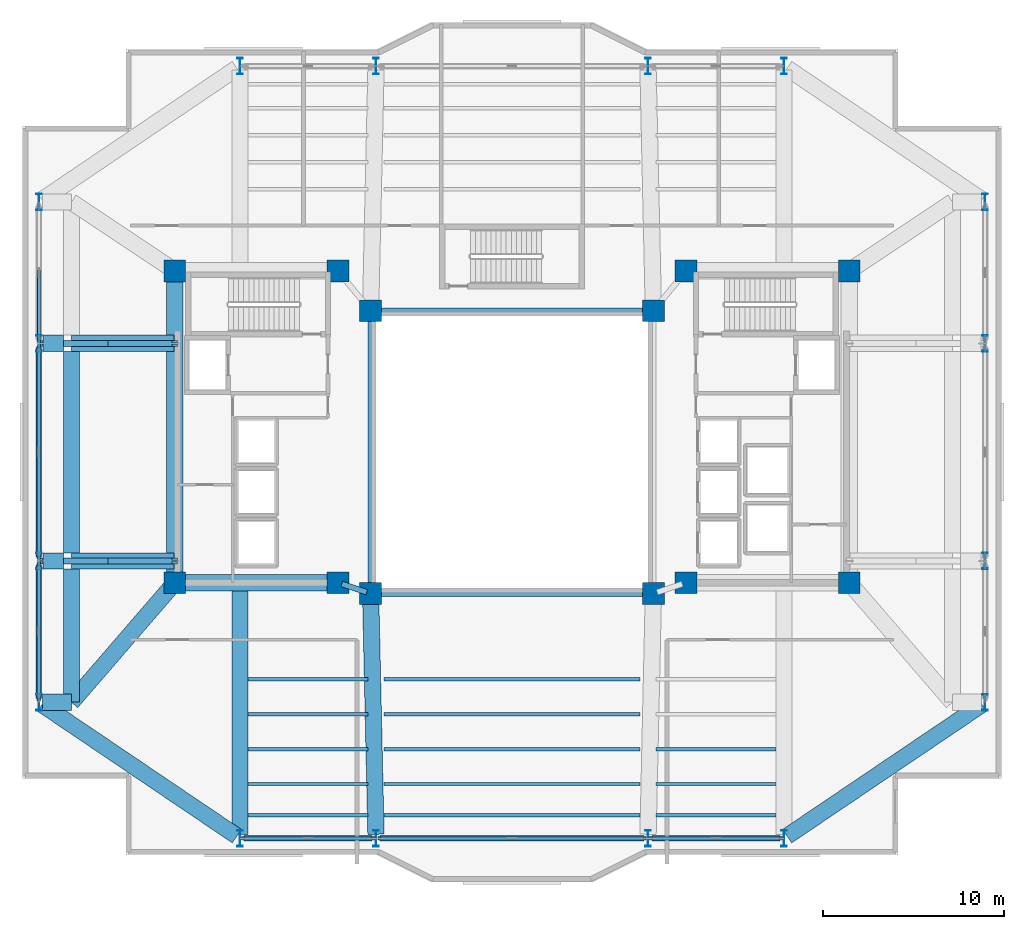
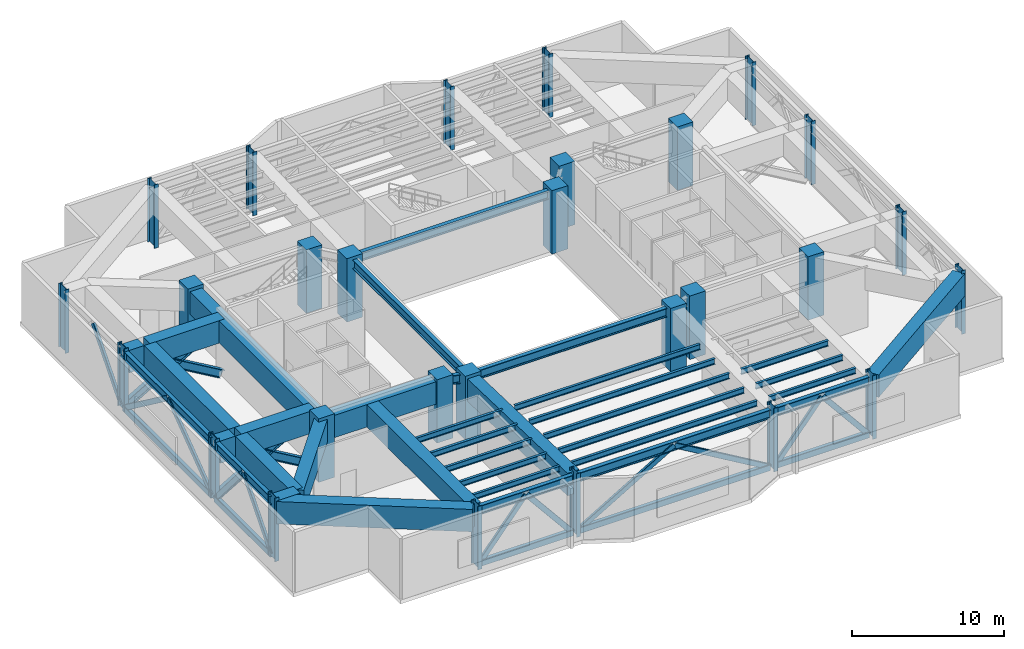
# One storey, part 1 of 13: 36 beams, 28 columns, 20 members.
"""IFC4 building model written with IfcOpenShell, lengths in metres."""

from ifc_helpers import new_model, si_unit, direction, frame, origin, origin_2d, place, context, subcontext, project, spatial, rectangle, hollow_rectangle, i_section, extrude, material, material_profile, profile_set, type_object, element, save


model = new_model("IFC4")

# Units and contexts
model_context = context("Model", 3, precision=1e-05, world=origin(), true_north=direction((0.0, 1.0)))
body_context = subcontext(model_context, "Body", "Model", "MODEL_VIEW")
ifc_project = project(units=[si_unit("LENGTHUNIT", "METRE"), si_unit("AREAUNIT", "SQUARE_METRE"), si_unit("VOLUMEUNIT", "CUBIC_METRE"), si_unit("PLANEANGLEUNIT", "RADIAN"), si_unit("MASSUNIT", "GRAM", prefix="KILO")], contexts=[model_context])

# Site, building, storey
site_placement = place(None, origin())
site = spatial("IfcSite", under=ifc_project, at=site_placement, CompositionType="ELEMENT")
building_placement = place(site_placement, origin())
building = spatial("IfcBuilding", under=site, at=building_placement, Name="Tarnavaz Court Tower", CompositionType="ELEMENT")
storey_placement = place(building_placement, frame((0.0, 0.0, 127.5)))
storey = spatial("IfcBuildingStorey", under=building, at=storey_placement, Name="L34", CompositionType="ELEMENT", Elevation=127.5)

# Columns
ifc_material_1 = material(Name="Concrete C60/75", Category="concrete")
ifc_material_profile_1 = material_profile(ifc_material_1, rectangle(XDim=1.199951171875, YDim=1.199951171875, at=origin_2d()), Name="RC 1200X1200")
ifc_profile_set_1 = profile_set([ifc_material_profile_1], Name="Concrete C60/75")
column_type_1 = type_object("IfcColumnType", Name="CL-RC1200", PredefinedType="COLUMN", material=ifc_profile_set_1)
for number, where, z_axis, x_axis, name in (
    (1, (-7.800048828125, -7.800048828125, 0.0), (0.0, 0.0, 1.0), (1.0, 0.0, 0.0), "L34 Column IW-SW"),
    (2, (7.800048828125, -7.800048828125, 0.0), (0.0, 0.0, 1.0), (1.0, 0.0, 0.0), "L34 Column IW-SE"),
    (3, (-7.800048828125, 7.800048828125, 0.0), (0.0, 0.0, 1.0), (1.0, 0.0, 0.0), "L34 Column IW-NW"),
    (4, (7.800048828125, 7.800048828125, 0.0), (0.0, 0.0, 1.0), (1.0, 0.0, 0.0), "L34 Column IW-NE"),
    (5, (-9.60009765625, -7.199951171875, 0.0), (0.0, 0.0, 1.0), (1.0, 0.0, 0.0), "L34 Column CW-SI"),
    (6, (-9.60009765625, 10.0, 0.0), (0.0, 0.0, 1.0), (1.0, 0.0, 0.0), "L34 Column CW-NI"),
    (7, (9.60009765625, -7.199951171875, 0.0), (0.0, 0.0, 1.0), (1.0, 0.0, 0.0), "L34 Column CE-SI"),
    (8, (9.60009765625, 10.0, 0.0), (0.0, 0.0, 1.0), (1.0, 0.0, 0.0), "L34 Column CE-NI"),
    (9, (-18.60009765625, -7.199951171875, 0.0), (0.0, 0.0, 1.0), (1.0, 0.0, 0.0), "L34 Column CW-SO"),
    (10, (-18.60009765625, 10.0, 0.0), (0.0, 0.0, 1.0), (1.0, 0.0, 0.0), "L34 Column CW-NO"),
    (11, (18.60009765625, -7.199951171875, 0.0), (0.0, 0.0, 1.0), (1.0, 0.0, 0.0), "L34 Column CE-SO"),
    (12, (18.60009765625, 10.0, 0.0), (0.0, 0.0, 1.0), (1.0, 0.0, 0.0), "L34 Column CE-NO"),
):
    element("IfcColumn", number, at=place(storey_placement, frame(where, z_axis=z_axis, x_axis=x_axis)), inside=storey, type_object=column_type_1, Name=name, PredefinedType="COLUMN", context=body_context, shape_type="SweptSolid", body=[
        extrude(rectangle(XDim=1.199951171875, YDim=1.199951171875, at=origin_2d()), origin(), (0.0, 0.0, 1.0), 5.10009765625),
    ])
ifc_material_2 = material(Name="Steel S460", Category="steel")
ifc_material_profile_2 = material_profile(ifc_material_2, i_section(OverallWidth=0.302001953125, OverallDepth=0.909912109375, WebThickness=0.02099609375, FlangeThickness=0.0400390625, FilletRadius=0.030029296875, at=origin_2d()), Name="HEM 900")
ifc_profile_set_2 = profile_set([ifc_material_profile_2], Name="Steel S460")
column_type_2 = type_object("IfcColumnType", Name="CL-S460-HEM900", PredefinedType="COLUMN", material=ifc_profile_set_2)
for number, where, z_axis, x_axis, name in (
    (13, (-15.0, 21.300048828125, 0.0), (0.0, 0.0, 1.0), (1.0, 0.0, 0.0), "L34 Column PN-1"),
    (14, (-7.5, 21.300048828125, 0.0), (0.0, 0.0, 1.0), (1.0, 0.0, 0.0), "L34 Column PN-2"),
    (15, (7.5, 21.300048828125, 0.0), (0.0, 0.0, 1.0), (1.0, 0.0, 0.0), "L34 Column PN-3"),
    (16, (15.0, 21.300048828125, 0.0), (0.0, 0.0, 1.0), (1.0, 0.0, 0.0), "L34 Column PN-4"),
    (17, (-15.0, -21.300048828125, 0.0), (0.0, 0.0, 1.0), (1.0, 0.0, 0.0), "L34 Column PS-1"),
    (18, (-7.5, -21.300048828125, 0.0), (0.0, 0.0, 1.0), (1.0, 0.0, 0.0), "L34 Column PS-2"),
    (19, (7.5, -21.300048828125, 0.0), (0.0, 0.0, 1.0), (1.0, 0.0, 0.0), "L34 Column PS-3"),
    (20, (15.0, -21.300048828125, 0.0), (0.0, 0.0, 1.0), (1.0, 0.0, 0.0), "L34 Column PS-4"),
    (21, (26.10009765625, -13.800048828125, 0.0), (0.0, 0.0, 1.0), (1.0, 0.0, 0.0), "L34 Column PE-1"),
    (22, (26.10009765625, -6.0, 0.0), (0.0, 0.0, 1.0), (1.0, 0.0, 0.0), "L34 Column PE-2"),
    (23, (26.10009765625, 6.0, 0.0), (0.0, 0.0, 1.0), (1.0, 0.0, 0.0), "L34 Column PE-3"),
    (24, (26.10009765625, 13.800048828125, 0.0), (0.0, 0.0, 1.0), (1.0, 0.0, 0.0), "L34 Column PE-4"),
    (25, (-26.10009765625, -13.800048828125, 0.0), (0.0, 0.0, 1.0), (1.0, 0.0, 0.0), "L34 Column PW-1"),
    (26, (-26.10009765625, -6.0, 0.0), (0.0, 0.0, 1.0), (1.0, 0.0, 0.0), "L34 Column PW-2"),
    (27, (-26.10009765625, 6.0, 0.0), (0.0, 0.0, 1.0), (1.0, 0.0, 0.0), "L34 Column PW-3"),
    (28, (-26.10009765625, 13.800048828125, 0.0), (0.0, 0.0, 1.0), (1.0, 0.0, 0.0), "L34 Column PW-4"),
):
    element("IfcColumn", number, at=place(storey_placement, frame(where, z_axis=z_axis, x_axis=x_axis)), inside=storey, type_object=column_type_2, Name=name, PredefinedType="COLUMN", context=body_context, shape_type="SweptSolid", body=[
        extrude(i_section(OverallWidth=0.302001953125, OverallDepth=0.909912109375, WebThickness=0.02099609375, FlangeThickness=0.0400390625, FilletRadius=0.030029296875, at=origin_2d()), origin(), (0.0, 0.0, 1.0), 5.10009765625),
    ])

# Beams
ifc_material_profile_3 = material_profile(ifc_material_2, i_section(OverallWidth=0.303955078125, OverallDepth=0.716064453125, WebThickness=0.02099609375, FlangeThickness=0.0400390625, FilletRadius=0.027099609375, at=origin_2d()), Name="HEM 700")
ifc_profile_set_3 = profile_set([ifc_material_profile_3], Name="Steel S460")
beam_type_1 = type_object("IfcBeamType", Name="BM-BT-HEM700", PredefinedType="USERDEFINED", material=ifc_profile_set_3)
for number, where, z_axis, x_axis, name in (
    (29, (-7.580078125, -7.800048828125, 4.491943359375), (1.0, 0.0, 0.0), (0.0, 1.0, 0.0), "L34 Beam IN-IW-SW-IW-SE"),
    (30, (-7.580078125, 7.800048828125, 4.491943359375), (1.0, 0.0, 0.0), (0.0, 1.0, 0.0), "L34 Beam IN-IW-NW-IW-NE"),
    (31, (-7.800048828125, -7.580078125, 4.491943359375), (0.0, 1.0, 0.0), (-1.0, 0.0, 0.0), "L34 Beam IN-IW-SW-IW-NW"),
):
    element("IfcBeam", number, at=place(storey_placement, frame(where, z_axis=z_axis, x_axis=x_axis)), inside=storey, type_object=beam_type_1, Name=name, ObjectType="GIRDER", PredefinedType="USERDEFINED", context=body_context, shape_type="SweptSolid", body=[
        extrude(i_section(OverallWidth=0.303955078125, OverallDepth=0.716064453125, WebThickness=0.02099609375, FlangeThickness=0.0400390625, FilletRadius=0.027099609375, at=origin_2d()), origin(), (0.0, 0.0, 1.0), 15.16015625),
    ])
beam_1_placement = place(storey_placement, frame((-9.391357421875, -7.26953125, 4.491943359375), z_axis=(0.948666544706, -0.316278021615, 0.0), x_axis=(0.316278021615, 0.948666544706, 0.0)))
element("IfcBeam", 32, at=beam_1_placement, inside=storey, type_object=beam_type_1, Name="L34 Beam IN-CW-SI-IW-SW", ObjectType="GIRDER", PredefinedType="USERDEFINED", context=body_context, shape_type="SweptSolid", body=[
    extrude(i_section(OverallWidth=0.303955078125, OverallDepth=0.716064453125, WebThickness=0.02099609375, FlangeThickness=0.0400390625, FilletRadius=0.027099609375, at=origin_2d()), origin(), (0.0, 0.0, 1.0), 1.457275390625),
])
beam_2_placement = place(storey_placement, frame((-14.780029296875, -21.300048828125, 4.491943359375), z_axis=(1.0, 0.0, 0.0), x_axis=(0.0, 1.0, 0.0)))
element("IfcBeam", 33, at=beam_2_placement, inside=storey, type_object=beam_type_1, Name="L34 Beam PR-PS-1-PS-2", ObjectType="GIRDER", PredefinedType="USERDEFINED", context=body_context, shape_type="SweptSolid", body=[
    extrude(i_section(OverallWidth=0.303955078125, OverallDepth=0.716064453125, WebThickness=0.02099609375, FlangeThickness=0.0400390625, FilletRadius=0.027099609375, at=origin_2d()), origin(), (0.0, 0.0, 1.0), 7.06005859375),
])
beam_3_placement = place(storey_placement, frame((-7.280029296875, -21.300048828125, 4.491943359375), z_axis=(1.0, 0.0, 0.0), x_axis=(0.0, 1.0, 0.0)))
element("IfcBeam", 34, at=beam_3_placement, inside=storey, type_object=beam_type_1, Name="L34 Beam PR-PS-2-PS-3", ObjectType="GIRDER", PredefinedType="USERDEFINED", context=body_context, shape_type="SweptSolid", body=[
    extrude(i_section(OverallWidth=0.303955078125, OverallDepth=0.716064453125, WebThickness=0.02099609375, FlangeThickness=0.0400390625, FilletRadius=0.027099609375, at=origin_2d()), origin(), (0.0, 0.0, 1.0), 14.56005859375),
])
beam_4_placement = place(storey_placement, frame((7.719970703125, -21.300048828125, 4.491943359375), z_axis=(1.0, 0.0, 0.0), x_axis=(0.0, 1.0, 0.0)))
element("IfcBeam", 35, at=beam_4_placement, inside=storey, type_object=beam_type_1, Name="L34 Beam PR-PS-3-PS-4", ObjectType="GIRDER", PredefinedType="USERDEFINED", context=body_context, shape_type="SweptSolid", body=[
    extrude(i_section(OverallWidth=0.303955078125, OverallDepth=0.716064453125, WebThickness=0.02099609375, FlangeThickness=0.0400390625, FilletRadius=0.027099609375, at=origin_2d()), origin(), (0.0, 0.0, 1.0), 7.06005859375),
])
beam_5_placement = place(storey_placement, frame((-26.10009765625, -13.580078125, 4.491943359375), z_axis=(0.0, 1.0, 0.0), x_axis=(-1.0, 0.0, 0.0)))
element("IfcBeam", 36, at=beam_5_placement, inside=storey, type_object=beam_type_1, Name="L34 Beam PR-PW-1-PW-2", ObjectType="GIRDER", PredefinedType="USERDEFINED", context=body_context, shape_type="SweptSolid", body=[
    extrude(i_section(OverallWidth=0.303955078125, OverallDepth=0.716064453125, WebThickness=0.02099609375, FlangeThickness=0.0400390625, FilletRadius=0.027099609375, at=origin_2d()), origin(), (0.0, 0.0, 1.0), 7.360107421875),
])
beam_6_placement = place(storey_placement, frame((-26.10009765625, -5.780029296875, 4.491943359375), z_axis=(0.0, 1.0, 0.0), x_axis=(-1.0, 0.0, 0.0)))
element("IfcBeam", 37, at=beam_6_placement, inside=storey, type_object=beam_type_1, Name="L34 Beam PR-PW-2-PW-3", ObjectType="GIRDER", PredefinedType="USERDEFINED", context=body_context, shape_type="SweptSolid", body=[
    extrude(i_section(OverallWidth=0.303955078125, OverallDepth=0.716064453125, WebThickness=0.02099609375, FlangeThickness=0.0400390625, FilletRadius=0.027099609375, at=origin_2d()), origin(), (0.0, 0.0, 1.0), 11.56005859375),
])
ifc_material_3 = material(Name="Steel S355", Category="steel")
ifc_material_profile_4 = material_profile(ifc_material_3, i_section(OverallWidth=0.18994140625, OverallDepth=0.449951171875, WebThickness=0.009521484375, FlangeThickness=0.0146484375, FilletRadius=0.02099609375, at=origin_2d()), Name="IPE 450")
ifc_profile_set_4 = profile_set([ifc_material_profile_4], Name="Steel S355")
beam_type_2 = type_object("IfcBeamType", Name="BM-J-IPE450", PredefinedType="JOIST", material=ifc_profile_set_4)
beam_7_placement = place(storey_placement, frame((-14.550048828125, -12.52587890625, 4.625), z_axis=(1.0, 0.0, 0.0), x_axis=(0.0, 1.0, 0.0)))
element("IfcBeam", 38, at=beam_7_placement, inside=storey, type_object=beam_type_2, Name="L34 Beam JS1-1", PredefinedType="JOIST", context=body_context, shape_type="SweptSolid", body=[
    extrude(i_section(OverallWidth=0.18994140625, OverallDepth=0.449951171875, WebThickness=0.009521484375, FlangeThickness=0.0146484375, FilletRadius=0.02099609375, at=origin_2d()), origin(), (0.0, 0.0, 1.0), 6.60009765625),
])
beam_8_placement = place(storey_placement, frame((-7.050048828125, -12.52587890625, 4.625), z_axis=(1.0, 0.0, 0.0), x_axis=(0.0, 1.0, 0.0)))
element("IfcBeam", 39, at=beam_8_placement, inside=storey, type_object=beam_type_2, Name="L34 Beam JS1-2", PredefinedType="JOIST", context=body_context, shape_type="SweptSolid", body=[
    extrude(i_section(OverallWidth=0.18994140625, OverallDepth=0.449951171875, WebThickness=0.009521484375, FlangeThickness=0.0146484375, FilletRadius=0.02099609375, at=origin_2d()), origin(), (0.0, 0.0, 1.0), 14.10009765625),
])
beam_9_placement = place(storey_placement, frame((-14.550048828125, -14.451904296875, 4.625), z_axis=(1.0, 0.0, 0.0), x_axis=(0.0, 1.0, 0.0)))
element("IfcBeam", 40, at=beam_9_placement, inside=storey, type_object=beam_type_2, Name="L34 Beam JS2-1", PredefinedType="JOIST", context=body_context, shape_type="SweptSolid", body=[
    extrude(i_section(OverallWidth=0.18994140625, OverallDepth=0.449951171875, WebThickness=0.009521484375, FlangeThickness=0.0146484375, FilletRadius=0.02099609375, at=origin_2d()), origin(), (0.0, 0.0, 1.0), 6.60009765625),
])
beam_10_placement = place(storey_placement, frame((-7.050048828125, -14.451904296875, 4.625), z_axis=(1.0, 0.0, 0.0), x_axis=(0.0, 1.0, 0.0)))
element("IfcBeam", 41, at=beam_10_placement, inside=storey, type_object=beam_type_2, Name="L34 Beam JS2-2", PredefinedType="JOIST", context=body_context, shape_type="SweptSolid", body=[
    extrude(i_section(OverallWidth=0.18994140625, OverallDepth=0.449951171875, WebThickness=0.009521484375, FlangeThickness=0.0146484375, FilletRadius=0.02099609375, at=origin_2d()), origin(), (0.0, 0.0, 1.0), 14.10009765625),
])
beam_11_placement = place(storey_placement, frame((-14.550048828125, -16.3779296875, 4.625), z_axis=(1.0, 0.0, 0.0), x_axis=(0.0, 1.0, 0.0)))
element("IfcBeam", 42, at=beam_11_placement, inside=storey, type_object=beam_type_2, Name="L34 Beam JS3-1", PredefinedType="JOIST", context=body_context, shape_type="SweptSolid", body=[
    extrude(i_section(OverallWidth=0.18994140625, OverallDepth=0.449951171875, WebThickness=0.009521484375, FlangeThickness=0.0146484375, FilletRadius=0.02099609375, at=origin_2d()), origin(), (0.0, 0.0, 1.0), 6.60009765625),
])
beam_12_placement = place(storey_placement, frame((-7.050048828125, -16.3779296875, 4.625), z_axis=(1.0, 0.0, 0.0), x_axis=(0.0, 1.0, 0.0)))
element("IfcBeam", 43, at=beam_12_placement, inside=storey, type_object=beam_type_2, Name="L34 Beam JS3-2", PredefinedType="JOIST", context=body_context, shape_type="SweptSolid", body=[
    extrude(i_section(OverallWidth=0.18994140625, OverallDepth=0.449951171875, WebThickness=0.009521484375, FlangeThickness=0.0146484375, FilletRadius=0.02099609375, at=origin_2d()), origin(), (0.0, 0.0, 1.0), 14.10009765625),
])
for number, where, z_axis, x_axis, name in (
    (44, (7.949951171875, -16.3779296875, 4.625), (1.0, 0.0, 0.0), (0.0, 1.0, 0.0), "L34 Beam JS3-3"),
    (45, (-14.550048828125, -18.303955078125, 4.625), (1.0, 0.0, 0.0), (0.0, 1.0, 0.0), "L34 Beam JS4-1"),
):
    element("IfcBeam", number, at=place(storey_placement, frame(where, z_axis=z_axis, x_axis=x_axis)), inside=storey, type_object=beam_type_2, Name=name, PredefinedType="JOIST", context=body_context, shape_type="SweptSolid", body=[
        extrude(i_section(OverallWidth=0.18994140625, OverallDepth=0.449951171875, WebThickness=0.009521484375, FlangeThickness=0.0146484375, FilletRadius=0.02099609375, at=origin_2d()), origin(), (0.0, 0.0, 1.0), 6.60009765625),
    ])
beam_13_placement = place(storey_placement, frame((-7.050048828125, -18.303955078125, 4.625), z_axis=(1.0, 0.0, 0.0), x_axis=(0.0, 1.0, 0.0)))
element("IfcBeam", 46, at=beam_13_placement, inside=storey, type_object=beam_type_2, Name="L34 Beam JS4-2", PredefinedType="JOIST", context=body_context, shape_type="SweptSolid", body=[
    extrude(i_section(OverallWidth=0.18994140625, OverallDepth=0.449951171875, WebThickness=0.009521484375, FlangeThickness=0.0146484375, FilletRadius=0.02099609375, at=origin_2d()), origin(), (0.0, 0.0, 1.0), 14.10009765625),
])
for number, where, z_axis, x_axis, name in (
    (47, (7.949951171875, -18.303955078125, 4.625), (1.0, 0.0, 0.0), (0.0, 1.0, 0.0), "L34 Beam JS4-3"),
    (48, (-14.550048828125, -20.01611328125, 4.625), (1.0, 0.0, 0.0), (0.0, 1.0, 0.0), "L34 Beam JS5-1"),
):
    element("IfcBeam", number, at=place(storey_placement, frame(where, z_axis=z_axis, x_axis=x_axis)), inside=storey, type_object=beam_type_2, Name=name, PredefinedType="JOIST", context=body_context, shape_type="SweptSolid", body=[
        extrude(i_section(OverallWidth=0.18994140625, OverallDepth=0.449951171875, WebThickness=0.009521484375, FlangeThickness=0.0146484375, FilletRadius=0.02099609375, at=origin_2d()), origin(), (0.0, 0.0, 1.0), 6.60009765625),
    ])
beam_14_placement = place(storey_placement, frame((-7.050048828125, -20.01611328125, 4.625), z_axis=(1.0, 0.0, 0.0), x_axis=(0.0, 1.0, 0.0)))
element("IfcBeam", 49, at=beam_14_placement, inside=storey, type_object=beam_type_2, Name="L34 Beam JS5-2", PredefinedType="JOIST", context=body_context, shape_type="SweptSolid", body=[
    extrude(i_section(OverallWidth=0.18994140625, OverallDepth=0.449951171875, WebThickness=0.009521484375, FlangeThickness=0.0146484375, FilletRadius=0.02099609375, at=origin_2d()), origin(), (0.0, 0.0, 1.0), 14.10009765625),
])
beam_15_placement = place(storey_placement, frame((7.949951171875, -20.01611328125, 4.625), z_axis=(1.0, 0.0, 0.0), x_axis=(0.0, 1.0, 0.0)))
element("IfcBeam", 50, at=beam_15_placement, inside=storey, type_object=beam_type_2, Name="L34 Beam JS5-3", PredefinedType="JOIST", context=body_context, shape_type="SweptSolid", body=[
    extrude(i_section(OverallWidth=0.18994140625, OverallDepth=0.449951171875, WebThickness=0.009521484375, FlangeThickness=0.0146484375, FilletRadius=0.02099609375, at=origin_2d()), origin(), (0.0, 0.0, 1.0), 6.60009765625),
])
ifc_material_4 = material(Name="Concrete C50/60", Category="concrete")
ifc_material_profile_5 = material_profile(ifc_material_4, rectangle(XDim=0.89990234375, YDim=1.800048828125, at=origin_2d()), Name="RC 900X1800")
ifc_profile_set_5 = profile_set([ifc_material_profile_5], Name="Concrete C50/60")
beam_type_3 = type_object("IfcBeamType", Name="BM-TG1800", PredefinedType="USERDEFINED", material=ifc_profile_set_5)
beam_16_placement = place(storey_placement, frame((-18.3798828125, -7.199951171875, 3.949951171875), z_axis=(1.0, 0.0, 0.0), x_axis=(0.0, 1.0, 0.0)))
element("IfcBeam", 51, at=beam_16_placement, inside=storey, type_object=beam_type_3, Name="L34 Beam IN-CW-SO-CW-SI", ObjectType="GIRDER", PredefinedType="USERDEFINED", context=body_context, shape_type="SweptSolid", body=[
    extrude(rectangle(XDim=0.89990234375, YDim=1.800048828125, at=origin_2d()), origin(), (0.0, 0.0, 1.0), 8.559814453125),
])
beam_17_placement = place(storey_placement, frame((-18.60009765625, -6.97998046875, 3.949951171875), z_axis=(0.0, 1.0, 0.0), x_axis=(-1.0, 0.0, 0.0)))
element("IfcBeam", 52, at=beam_17_placement, inside=storey, type_object=beam_type_3, Name="L34 Beam IN-CW-SO-CW-NO", ObjectType="GIRDER", PredefinedType="USERDEFINED", context=body_context, shape_type="SweptSolid", body=[
    extrude(rectangle(XDim=0.89990234375, YDim=1.800048828125, at=origin_2d()), origin(), (0.0, 0.0, 1.0), 16.760009765625),
])
for number, where, z_axis, x_axis, name in (
    (53, (25.917724609375, -13.923095703125, 3.949951171875), (-0.828587314918, -0.559859858854, 0.0), (0.559859858854, -0.828587314918, 0.0), "L34 Beam PR-PE-1-PS-4"),
    (54, (-15.182373046875, -21.1767578125, 3.949951171875), (-0.828587314918, 0.559859858854, 0.0), (-0.559859858854, -0.828587314918, 0.0), "L34 Beam PR-PS-1-PW-1"),
):
    element("IfcBeam", number, at=place(storey_placement, frame(where, z_axis=z_axis, x_axis=x_axis)), inside=storey, type_object=beam_type_3, Name=name, ObjectType="GIRDER", PredefinedType="USERDEFINED", context=body_context, shape_type="SweptSolid", body=[
        extrude(rectangle(XDim=0.89990234375, YDim=1.800048828125, at=origin_2d()), origin(), (0.0, 0.0, 1.0), 12.956298828125),
    ])
beam_18_placement = place(storey_placement, frame((-15.0, -7.239990234375, 3.949951171875), z_axis=(0.0, -1.0, 0.0), x_axis=(1.0, 0.0, 0.0)))
element("IfcBeam", 55, at=beam_18_placement, inside=storey, type_object=beam_type_3, Name="L34 Beam RG-05", ObjectType="GIRDER", PredefinedType="USERDEFINED", context=body_context, shape_type="SweptSolid", body=[
    extrude(rectangle(XDim=0.89990234375, YDim=1.800048828125, at=origin_2d()), origin(), (0.0, 0.0, 1.0), 13.840087890625),
])
beam_19_placement = place(storey_placement, frame((-7.795166015625, -8.02001953125, 3.949951171875), z_axis=(0.022221303469, -0.99975307635, 0.0), x_axis=(0.99975307635, 0.022221303469, 0.0)))
element("IfcBeam", 56, at=beam_19_placement, inside=storey, type_object=beam_type_3, Name="L34 Beam RG-06", ObjectType="GIRDER", PredefinedType="USERDEFINED", context=body_context, shape_type="SweptSolid", body=[
    extrude(rectangle(XDim=0.89990234375, YDim=1.800048828125, at=origin_2d()), origin(), (0.0, 0.0, 1.0), 13.063232421875),
])
beam_20_placement = place(storey_placement, frame((-18.639892578125, -6.0, 3.949951171875), z_axis=(-1.0, 0.0, 0.0), x_axis=(0.0, -1.0, 0.0)))
element("IfcBeam", 57, at=beam_20_placement, inside=storey, type_object=beam_type_3, Name="L34 Beam RG-13", ObjectType="GIRDER", PredefinedType="USERDEFINED", context=body_context, shape_type="SweptSolid", body=[
    extrude(rectangle(XDim=0.89990234375, YDim=1.800048828125, at=origin_2d()), origin(), (0.0, 0.0, 1.0), 5.66015625),
])
beam_21_placement = place(storey_placement, frame((-24.75, -6.0, 3.949951171875), z_axis=(-1.0, 0.0, 0.0), x_axis=(0.0, -1.0, 0.0)))
element("IfcBeam", 58, at=beam_21_placement, inside=storey, type_object=beam_type_3, Name="L34 Beam RG-13B", ObjectType="GIRDER", PredefinedType="USERDEFINED", context=body_context, shape_type="SweptSolid", body=[
    extrude(rectangle(XDim=0.89990234375, YDim=1.800048828125, at=origin_2d()), origin(), (0.0, 0.0, 1.0), 1.1298828125),
])
beam_22_placement = place(storey_placement, frame((-18.639892578125, 6.0, 3.949951171875), z_axis=(-1.0, 0.0, 0.0), x_axis=(0.0, -1.0, 0.0)))
element("IfcBeam", 59, at=beam_22_placement, inside=storey, type_object=beam_type_3, Name="L34 Beam RG-14", ObjectType="GIRDER", PredefinedType="USERDEFINED", context=body_context, shape_type="SweptSolid", body=[
    extrude(rectangle(XDim=0.89990234375, YDim=1.800048828125, at=origin_2d()), origin(), (0.0, 0.0, 1.0), 5.66015625),
])
beam_23_placement = place(storey_placement, frame((-24.75, 6.0, 3.949951171875), z_axis=(-1.0, 0.0, 0.0), x_axis=(0.0, -1.0, 0.0)))
element("IfcBeam", 60, at=beam_23_placement, inside=storey, type_object=beam_type_3, Name="L34 Beam RG-14B", ObjectType="GIRDER", PredefinedType="USERDEFINED", context=body_context, shape_type="SweptSolid", body=[
    extrude(rectangle(XDim=0.89990234375, YDim=1.800048828125, at=origin_2d()), origin(), (0.0, 0.0, 1.0), 1.1298828125),
])
beam_24_placement = place(storey_placement, frame((-18.730712890625, -7.351318359375, 3.949951171875), z_axis=(-0.653618378386, -0.756824296278, 0.0), x_axis=(0.756824296278, -0.653618378386, 0.0)))
element("IfcBeam", 61, at=beam_24_placement, inside=storey, type_object=beam_type_3, Name="L34 Beam TG-SET-WS", ObjectType="GIRDER", PredefinedType="USERDEFINED", context=body_context, shape_type="SweptSolid", body=[
    extrude(rectangle(XDim=0.89990234375, YDim=1.800048828125, at=origin_2d()), origin(), (0.0, 0.0, 1.0), 8.520751953125),
])
beam_25_placement = place(storey_placement, frame((-24.300048828125, -13.800048828125, 3.949951171875), z_axis=(-1.0, 0.0, 0.0), x_axis=(0.0, -1.0, 0.0)))
element("IfcBeam", 62, at=beam_25_placement, inside=storey, type_object=beam_type_3, Name="L34 Beam TG-OUT-WS", ObjectType="GIRDER", PredefinedType="USERDEFINED", context=body_context, shape_type="SweptSolid", body=[
    extrude(rectangle(XDim=0.89990234375, YDim=1.800048828125, at=origin_2d()), origin(), (0.0, 0.0, 1.0), 1.599853515625),
])
beam_26_placement = place(storey_placement, frame((-24.300048828125, -13.780029296875, 3.949951171875), z_axis=(0.0, 1.0, 0.0), x_axis=(-1.0, 0.0, 0.0)))
element("IfcBeam", 63, at=beam_26_placement, inside=storey, type_object=beam_type_3, Name="L34 Beam TG-TIE-W1", ObjectType="GIRDER", PredefinedType="USERDEFINED", context=body_context, shape_type="SweptSolid", body=[
    extrude(rectangle(XDim=0.89990234375, YDim=1.800048828125, at=origin_2d()), origin(), (0.0, 0.0, 1.0), 7.330078125),
])
beam_27_placement = place(storey_placement, frame((-24.300048828125, -5.550048828125, 3.949951171875), z_axis=(0.0, 1.0, 0.0), x_axis=(-1.0, 0.0, 0.0)))
element("IfcBeam", 64, at=beam_27_placement, inside=storey, type_object=beam_type_3, Name="L34 Beam TG-TIE-W2", ObjectType="GIRDER", PredefinedType="USERDEFINED", context=body_context, shape_type="SweptSolid", body=[
    extrude(rectangle(XDim=0.89990234375, YDim=1.800048828125, at=origin_2d()), origin(), (0.0, 0.0, 1.0), 11.10009765625),
])

# Members
ifc_material_profile_6 = material_profile(ifc_material_2, hollow_rectangle(XDim=0.199951171875, YDim=0.39990234375, WallThickness=0.01611328125, InnerFilletRadius=0.01611328125, OuterFilletRadius=0.031982421875, at=origin_2d()), Name="RHS 400X200X16")
ifc_profile_set_6 = profile_set([ifc_material_profile_6], Name="Steel S460")
member_type_1 = type_object("IfcMemberType", Name="MB-BT-RHS400", PredefinedType="BRACE", material=ifc_profile_set_6)
for number, where, z_axis, x_axis, name in (
    (65, (-14.780029296875, -21.300048828125, 0.199951171875), (0.634508247424, 0.0, 0.772916091145), (0.0, 1.0, 0.0), "L34 Belt Truss Diagonal 04A"),
    (66, (-7.719970703125, -21.300048828125, 0.199951171875), (-0.634508247424, 0.0, 0.772916091145), (0.0, -1.0, 0.0), "L34 Belt Truss Diagonal 04B"),
):
    element("IfcMember", number, at=place(storey_placement, frame(where, z_axis=z_axis, x_axis=x_axis)), inside=storey, type_object=member_type_1, Name=name, PredefinedType="BRACE", context=body_context, shape_type="SweptSolid", body=[
        extrude(hollow_rectangle(XDim=0.199951171875, YDim=0.39990234375, WallThickness=0.01611328125, InnerFilletRadius=0.01611328125, OuterFilletRadius=0.031982421875, at=origin_2d()), origin(), (0.0, 0.0, 1.0), 5.5634765625),
    ])
for number, where, z_axis, x_axis, name in (
    (67, (-7.280029296875, -21.300048828125, 0.199951171875), (0.861019063822, 0.0, 0.508572680878), (0.0, 1.0, 0.0), "L34 Belt Truss Diagonal 05A"),
    (68, (7.280029296875, -21.300048828125, 0.199951171875), (-0.861019063822, 0.0, 0.508572680878), (0.0, -1.0, 0.0), "L34 Belt Truss Diagonal 05B"),
):
    element("IfcMember", number, at=place(storey_placement, frame(where, z_axis=z_axis, x_axis=x_axis)), inside=storey, type_object=member_type_1, Name=name, PredefinedType="BRACE", context=body_context, shape_type="SweptSolid", body=[
        extrude(hollow_rectangle(XDim=0.199951171875, YDim=0.39990234375, WallThickness=0.01611328125, InnerFilletRadius=0.01611328125, OuterFilletRadius=0.031982421875, at=origin_2d()), origin(), (0.0, 0.0, 1.0), 8.455078125),
    ])
for number, where, z_axis, x_axis, name in (
    (69, (7.719970703125, -21.300048828125, 0.199951171875), (0.634508247424, 0.0, 0.772916091145), (0.0, 1.0, 0.0), "L34 Belt Truss Diagonal 06A"),
    (70, (14.780029296875, -21.300048828125, 0.199951171875), (-0.634508247424, 0.0, 0.772916091145), (0.0, -1.0, 0.0), "L34 Belt Truss Diagonal 06B"),
):
    element("IfcMember", number, at=place(storey_placement, frame(where, z_axis=z_axis, x_axis=x_axis)), inside=storey, type_object=member_type_1, Name=name, PredefinedType="BRACE", context=body_context, shape_type="SweptSolid", body=[
        extrude(hollow_rectangle(XDim=0.199951171875, YDim=0.39990234375, WallThickness=0.01611328125, InnerFilletRadius=0.01611328125, OuterFilletRadius=0.031982421875, at=origin_2d()), origin(), (0.0, 0.0, 1.0), 5.5634765625),
    ])
member_1_placement = place(storey_placement, frame((-26.10009765625, -13.580078125, 0.199951171875), z_axis=(0.0, 0.650222818954, 0.759743565758), x_axis=(-1.0, 0.0, 0.0)))
element("IfcMember", 71, at=member_1_placement, inside=storey, type_object=member_type_1, Name="L34 Belt Truss Diagonal 10A", PredefinedType="BRACE", context=body_context, shape_type="SweptSolid", body=[
    extrude(hollow_rectangle(XDim=0.199951171875, YDim=0.39990234375, WallThickness=0.01611328125, InnerFilletRadius=0.01611328125, OuterFilletRadius=0.031982421875, at=origin_2d()), origin(), (0.0, 0.0, 1.0), 5.659912109375),
])
member_2_placement = place(storey_placement, frame((-26.10009765625, -6.219970703125, 0.199951171875), z_axis=(0.0, -0.650197919718, 0.759764874941), x_axis=(1.0, 0.0, 0.0)))
element("IfcMember", 72, at=member_2_placement, inside=storey, type_object=member_type_1, Name="L34 Belt Truss Diagonal 10B", PredefinedType="BRACE", context=body_context, shape_type="SweptSolid", body=[
    extrude(hollow_rectangle(XDim=0.199951171875, YDim=0.39990234375, WallThickness=0.01611328125, InnerFilletRadius=0.01611328125, OuterFilletRadius=0.031982421875, at=origin_2d()), origin(), (0.0, 0.0, 1.0), 5.65966796875),
])
for number, where, z_axis, x_axis, name in (
    (73, (-26.10009765625, -5.780029296875, 0.199951171875), (0.0, 0.802324180514, 0.596888523396), (-1.0, 0.0, 0.0), "L34 Belt Truss Diagonal 11A"),
    (74, (-26.10009765625, 5.780029296875, 0.199951171875), (0.0, -0.802324180514, 0.596888523396), (1.0, 0.0, 0.0), "L34 Belt Truss Diagonal 11B"),
):
    element("IfcMember", number, at=place(storey_placement, frame(where, z_axis=z_axis, x_axis=x_axis)), inside=storey, type_object=member_type_1, Name=name, PredefinedType="BRACE", context=body_context, shape_type="SweptSolid", body=[
        extrude(hollow_rectangle(XDim=0.199951171875, YDim=0.39990234375, WallThickness=0.01611328125, InnerFilletRadius=0.01611328125, OuterFilletRadius=0.031982421875, at=origin_2d()), origin(), (0.0, 0.0, 1.0), 7.2041015625),
    ])
member_3_placement = place(storey_placement, frame((-26.10009765625, 6.219970703125, 0.199951171875), z_axis=(0.0, 0.650197919718, 0.759764874941), x_axis=(-1.0, 0.0, 0.0)))
element("IfcMember", 75, at=member_3_placement, inside=storey, type_object=member_type_1, Name="L34 Belt Truss Diagonal 12A", PredefinedType="BRACE", context=body_context, shape_type="SweptSolid", body=[
    extrude(hollow_rectangle(XDim=0.199951171875, YDim=0.39990234375, WallThickness=0.01611328125, InnerFilletRadius=0.01611328125, OuterFilletRadius=0.031982421875, at=origin_2d()), origin(), (0.0, 0.0, 1.0), 5.65966796875),
])
ifc_material_profile_7 = material_profile(ifc_material_2, hollow_rectangle(XDim=0.300048828125, YDim=0.5, WallThickness=0.02001953125, InnerFilletRadius=0.02001953125, OuterFilletRadius=0.0400390625, at=origin_2d()), Name="RHS 500X300X20")
ifc_profile_set_7 = profile_set([ifc_material_profile_7], Name="Steel S460")
member_type_2 = type_object("IfcMemberType", Name="MB-BT-RHS500", PredefinedType="CHORD", material=ifc_profile_set_7)
member_4_placement = place(storey_placement, frame((-14.780029296875, -21.300048828125, 0.199951171875), z_axis=(1.0, 0.0, 0.0), x_axis=(0.0, 1.0, 0.0)))
element("IfcMember", 76, at=member_4_placement, inside=storey, type_object=member_type_2, Name="L34 Belt Truss Bottom Chord PS-1-PS-2", PredefinedType="CHORD", context=body_context, shape_type="SweptSolid", body=[
    extrude(hollow_rectangle(XDim=0.300048828125, YDim=0.5, WallThickness=0.02001953125, InnerFilletRadius=0.02001953125, OuterFilletRadius=0.0400390625, at=origin_2d()), origin(), (0.0, 0.0, 1.0), 7.06005859375),
])
member_5_placement = place(storey_placement, frame((-7.280029296875, -21.300048828125, 0.199951171875), z_axis=(1.0, 0.0, 0.0), x_axis=(0.0, 1.0, 0.0)))
element("IfcMember", 77, at=member_5_placement, inside=storey, type_object=member_type_2, Name="L34 Belt Truss Bottom Chord PS-2-PS-3", PredefinedType="CHORD", context=body_context, shape_type="SweptSolid", body=[
    extrude(hollow_rectangle(XDim=0.300048828125, YDim=0.5, WallThickness=0.02001953125, InnerFilletRadius=0.02001953125, OuterFilletRadius=0.0400390625, at=origin_2d()), origin(), (0.0, 0.0, 1.0), 14.56005859375),
])
member_6_placement = place(storey_placement, frame((7.719970703125, -21.300048828125, 0.199951171875), z_axis=(1.0, 0.0, 0.0), x_axis=(0.0, 1.0, 0.0)))
element("IfcMember", 78, at=member_6_placement, inside=storey, type_object=member_type_2, Name="L34 Belt Truss Bottom Chord PS-3-PS-4", PredefinedType="CHORD", context=body_context, shape_type="SweptSolid", body=[
    extrude(hollow_rectangle(XDim=0.300048828125, YDim=0.5, WallThickness=0.02001953125, InnerFilletRadius=0.02001953125, OuterFilletRadius=0.0400390625, at=origin_2d()), origin(), (0.0, 0.0, 1.0), 7.06005859375),
])
member_7_placement = place(storey_placement, frame((-26.10009765625, -13.580078125, 0.199951171875), z_axis=(0.0, 1.0, 0.0), x_axis=(-1.0, 0.0, 0.0)))
element("IfcMember", 79, at=member_7_placement, inside=storey, type_object=member_type_2, Name="L34 Belt Truss Bottom Chord PW-1-PW-2", PredefinedType="CHORD", context=body_context, shape_type="SweptSolid", body=[
    extrude(hollow_rectangle(XDim=0.300048828125, YDim=0.5, WallThickness=0.02001953125, InnerFilletRadius=0.02001953125, OuterFilletRadius=0.0400390625, at=origin_2d()), origin(), (0.0, 0.0, 1.0), 7.360107421875),
])
member_8_placement = place(storey_placement, frame((-26.10009765625, -5.780029296875, 0.199951171875), z_axis=(0.0, 1.0, 0.0), x_axis=(-1.0, 0.0, 0.0)))
element("IfcMember", 80, at=member_8_placement, inside=storey, type_object=member_type_2, Name="L34 Belt Truss Bottom Chord PW-2-PW-3", PredefinedType="CHORD", context=body_context, shape_type="SweptSolid", body=[
    extrude(hollow_rectangle(XDim=0.300048828125, YDim=0.5, WallThickness=0.02001953125, InnerFilletRadius=0.02001953125, OuterFilletRadius=0.0400390625, at=origin_2d()), origin(), (0.0, 0.0, 1.0), 11.56005859375),
])
ifc_material_profile_8 = material_profile(ifc_material_2, i_section(OverallWidth=0.3291015625, OverallDepth=0.635009765625, WebThickness=0.017822265625, FlangeThickness=0.031005859375, FilletRadius=0.017822265625, at=origin_2d()), Name="W24X162")
ifc_profile_set_8 = profile_set([ifc_material_profile_8], Name="Steel S460")
member_type_3 = type_object("IfcMemberType", Name="MB-OUT-W24", PredefinedType="BRACE", material=ifc_profile_set_8)
for number, where, z_axis, x_axis, name in (
    (81, (-18.60009765625, -6.0, 0.199951171875), (-0.863431731238, 0.0, 0.504465702989), (0.0, -1.0, 0.0), "L34 Core-to-Ring Outrigger Diagonal 3A"),
    (82, (-18.60009765625, -6.0, 4.5), (-0.863431731238, 0.0, -0.504465702989), (0.0, -1.0, 0.0), "L34 Core-to-Ring Outrigger Tie 3B"),
    (83, (-18.60009765625, 6.0, 0.199951171875), (-0.863431731238, 0.0, 0.504465702989), (0.0, -1.0, 0.0), "L34 Core-to-Ring Outrigger Diagonal 4A"),
    (84, (-18.60009765625, 6.0, 4.5), (-0.863431731238, 0.0, -0.504465702989), (0.0, -1.0, 0.0), "L34 Core-to-Ring Outrigger Tie 4B"),
):
    element("IfcMember", number, at=place(storey_placement, frame(where, z_axis=z_axis, x_axis=x_axis)), inside=storey, type_object=member_type_3, Name=name, PredefinedType="BRACE", context=body_context, shape_type="SweptSolid", body=[
        extrude(i_section(OverallWidth=0.3291015625, OverallDepth=0.635009765625, WebThickness=0.017822265625, FlangeThickness=0.031005859375, FilletRadius=0.017822265625, at=origin_2d()), origin(), (0.0, 0.0, 1.0), 8.52392578125),
    ])

save(model, "model.ifc")
